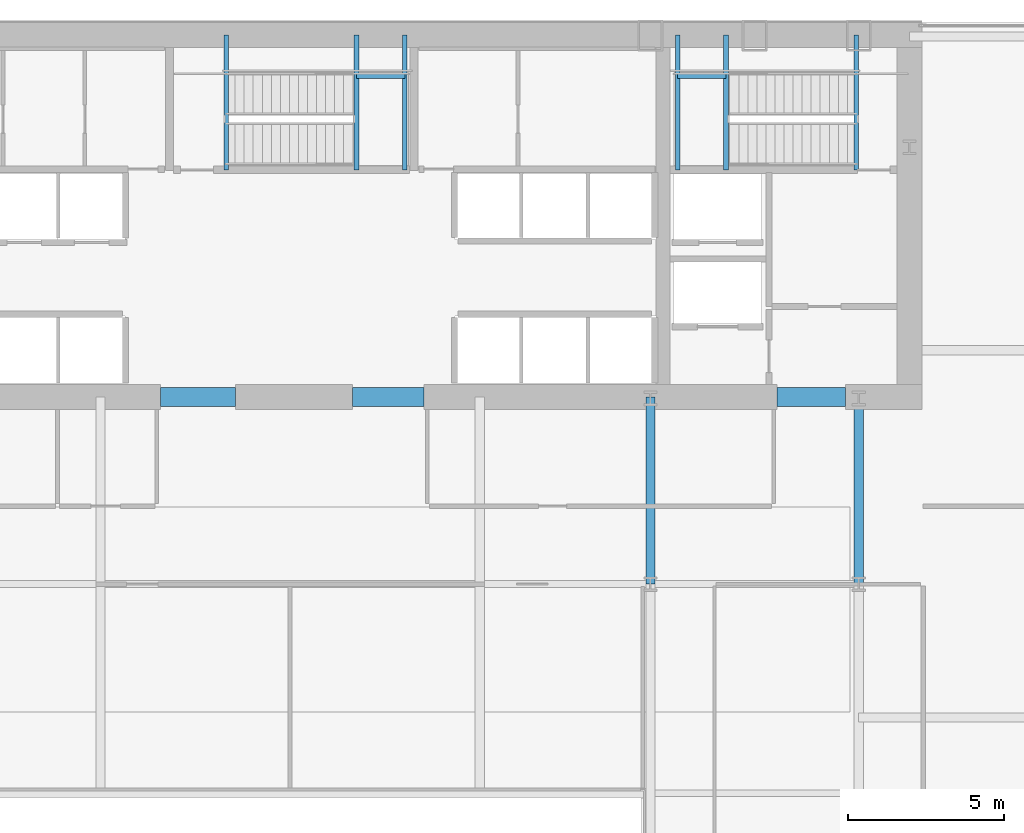
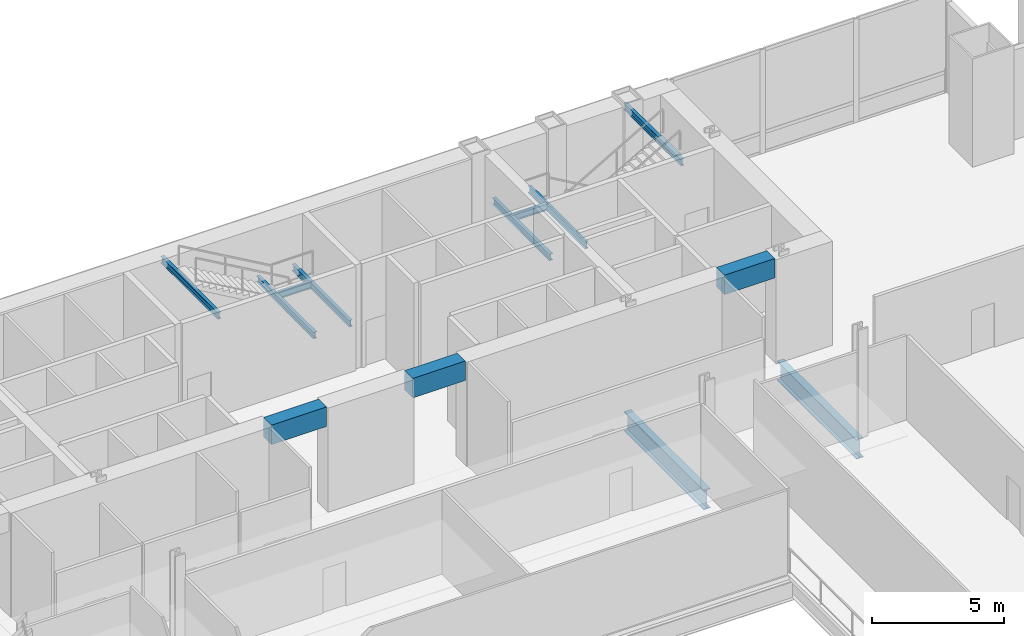
# One storey, part 12 of 25: 13 beams.
"""IFC4 building model written with IfcOpenShell, lengths in metres."""

from ifc_helpers import new_model, si_unit, direction, frame, origin, origin_2d, place, context, subcontext, project, spatial, rectangle, i_section, extrude, material, material_profile, profile_set, type_object, element, save


model = new_model("IFC4")

# Units and contexts
model_context = context("Model", 3, precision=1e-05, world=origin(), true_north=direction((0.0, 1.0)))
body_context = subcontext(model_context, "Body", "Model", "MODEL_VIEW")
ifc_project = project(units=[si_unit("LENGTHUNIT", "METRE"), si_unit("AREAUNIT", "SQUARE_METRE"), si_unit("VOLUMEUNIT", "CUBIC_METRE"), si_unit("PLANEANGLEUNIT", "RADIAN"), si_unit("MASSUNIT", "GRAM", prefix="KILO")], contexts=[model_context])

# Site, building, storey
site_placement = place(None, origin())
site = spatial("IfcSite", under=ifc_project, at=site_placement, CompositionType="ELEMENT")
building_placement = place(site_placement, origin())
building = spatial("IfcBuilding", under=site, at=building_placement, Name="Khoronbel Lancet Exchange", CompositionType="ELEMENT")
storey_placement = place(building_placement, frame((0.0, 0.0, 10.39990234375)))
storey = spatial("IfcBuildingStorey", under=building, at=storey_placement, Name="L02", CompositionType="ELEMENT", Elevation=10.39990234375)

# Beams
ifc_material_1 = material(Name="Steel S355", Category="steel")
ifc_material_profile_1 = material_profile(ifc_material_1, i_section(OverallWidth=0.300048828125, OverallDepth=0.89990234375, WebThickness=0.0185546875, FlangeThickness=0.034912109375, at=origin_2d()), Name="HEB 900")
ifc_profile_set_1 = profile_set([ifc_material_profile_1], Name="Steel S355")
beam_type_1 = type_object("IfcBeamType", Name="BM-BG1", PredefinedType="BEAM", material=ifc_profile_set_1)
for number, where, z_axis, x_axis, name in (
    (1, (48.0, 35.699951171875, -0.64990234375), (0.0, 1.0, 0.0), (-1.0, 0.0, 0.0), "Level L02 spine tie girder GN5"),
    (2, (54.675048828125, 35.699951171875, -0.64990234375), (0.0, 1.0, 0.0), (-1.0, 0.0, 0.0), "Level L02 spine tie girder GN6"),
):
    element("IfcBeam", number, at=place(storey_placement, frame(where, z_axis=z_axis, x_axis=x_axis)), inside=storey, type_object=beam_type_1, Name=name, PredefinedType="BEAM", context=body_context, shape_type="SweptSolid", body=[
        extrude(i_section(OverallWidth=0.300048828125, OverallDepth=0.89990234375, WebThickness=0.0185546875, FlangeThickness=0.034912109375, at=origin_2d()), origin(), (0.0, 0.0, 1.0), 6.0),
    ])
ifc_material_profile_2 = material_profile(ifc_material_1, i_section(OverallWidth=0.14990234375, OverallDepth=0.300048828125, WebThickness=0.007080078125, FlangeThickness=0.0107421875, at=origin_2d()), Name="IPE 300")
ifc_profile_set_2 = profile_set([ifc_material_profile_2], Name="Steel S355")
beam_type_2 = type_object("IfcBeamType", Name="BM-BJ8", PredefinedType="JOIST", material=ifc_profile_set_2)
for number, where, z_axis, x_axis, name in (
    (3, (50.419921875, 48.97998046875, 2.150146484375), (0.0, 1.0, 0.0), (-1.0, 0.0, 0.0), "Level L02 stair ST2 landing bearer beam 1"),
    (4, (48.8701171875, 48.97998046875, 2.150146484375), (0.0, 1.0, 0.0), (-1.0, 0.0, 0.0), "Level L02 stair ST2 rear landing bearer beam 1"),
):
    element("IfcBeam", number, at=place(storey_placement, frame(where, z_axis=z_axis, x_axis=x_axis)), inside=storey, type_object=beam_type_2, Name=name, PredefinedType="JOIST", context=body_context, shape_type="SweptSolid", body=[
        extrude(i_section(OverallWidth=0.14990234375, OverallDepth=0.300048828125, WebThickness=0.007080078125, FlangeThickness=0.0107421875, at=origin_2d()), origin(), (0.0, 0.0, 1.0), 4.320068359375),
    ])
beam_1_placement = place(storey_placement, frame((48.8701171875, 51.97998046875, 2.150146484375), z_axis=(1.0, 0.0, 0.0), x_axis=(0.0, 1.0, 0.0)))
element("IfcBeam", 5, at=beam_1_placement, inside=storey, type_object=beam_type_2, Name="Level L02 stair ST2 landing cross trimmer beam 1", PredefinedType="JOIST", context=body_context, shape_type="SweptSolid", body=[
    extrude(i_section(OverallWidth=0.14990234375, OverallDepth=0.300048828125, WebThickness=0.007080078125, FlangeThickness=0.0107421875, at=origin_2d()), origin(), (0.0, 0.0, 1.0), 1.5498046875),
])
for number, where, z_axis, x_axis, name in (
    (6, (54.60009765625, 48.97998046875, 4.52001953125), (0.0, 1.0, 0.0), (-1.0, 0.0, 0.0), "Level L02 stair ST2 upper-flight arrival trimmer beam"),
    (7, (38.580078125, 48.97998046875, 2.150146484375), (0.0, 1.0, 0.0), (-1.0, 0.0, 0.0), "Level L02 stair ST3 landing bearer beam 1"),
    (8, (40.1298828125, 48.97998046875, 2.150146484375), (0.0, 1.0, 0.0), (-1.0, 0.0, 0.0), "Level L02 stair ST3 rear landing bearer beam 1"),
):
    element("IfcBeam", number, at=place(storey_placement, frame(where, z_axis=z_axis, x_axis=x_axis)), inside=storey, type_object=beam_type_2, Name=name, PredefinedType="JOIST", context=body_context, shape_type="SweptSolid", body=[
        extrude(i_section(OverallWidth=0.14990234375, OverallDepth=0.300048828125, WebThickness=0.007080078125, FlangeThickness=0.0107421875, at=origin_2d()), origin(), (0.0, 0.0, 1.0), 4.320068359375),
    ])
beam_2_placement = place(storey_placement, frame((38.580078125, 51.97998046875, 2.150146484375), z_axis=(1.0, 0.0, 0.0), x_axis=(0.0, 1.0, 0.0)))
element("IfcBeam", 9, at=beam_2_placement, inside=storey, type_object=beam_type_2, Name="Level L02 stair ST3 landing cross trimmer beam 1", PredefinedType="JOIST", context=body_context, shape_type="SweptSolid", body=[
    extrude(i_section(OverallWidth=0.14990234375, OverallDepth=0.300048828125, WebThickness=0.007080078125, FlangeThickness=0.0107421875, at=origin_2d()), origin(), (0.0, 0.0, 1.0), 1.5498046875),
])
beam_3_placement = place(storey_placement, frame((34.39990234375, 48.97998046875, 4.52001953125), z_axis=(0.0, 1.0, 0.0), x_axis=(-1.0, 0.0, 0.0)))
element("IfcBeam", 10, at=beam_3_placement, inside=storey, type_object=beam_type_2, Name="Level L02 stair ST3 upper-flight arrival trimmer beam", PredefinedType="JOIST", context=body_context, shape_type="SweptSolid", body=[
    extrude(i_section(OverallWidth=0.14990234375, OverallDepth=0.300048828125, WebThickness=0.007080078125, FlangeThickness=0.0107421875, at=origin_2d()), origin(), (0.0, 0.0, 1.0), 4.320068359375),
])
ifc_material_2 = material(Name="Concrete C80/95", Category="concrete")
ifc_material_profile_3 = material_profile(ifc_material_2, rectangle(XDim=0.60009765625, YDim=0.89990234375, at=origin_2d()), Name="RC 600x900")
ifc_profile_set_3 = profile_set([ifc_material_profile_3], Name="Concrete C80/95")
beam_type_3 = type_object("IfcBeamType", Name="BM-BL1", PredefinedType="LINTEL", material=ifc_profile_set_3)
beam_4_placement = place(storey_placement, frame((32.300048828125, 41.699951171875, 4.35009765625), z_axis=(1.0, 0.0, 0.0), x_axis=(0.0, 1.0, 0.0)))
element("IfcBeam", 11, at=beam_4_placement, inside=storey, type_object=beam_type_3, Name="Level L02 rear core coupling lintel L2", PredefinedType="LINTEL", context=body_context, shape_type="SweptSolid", body=[
    extrude(rectangle(XDim=0.60009765625, YDim=0.89990234375, at=origin_2d()), origin(), (0.0, 0.0, 1.0), 2.39990234375),
])
beam_5_placement = place(storey_placement, frame((38.449951171875, 41.699951171875, 4.35009765625), z_axis=(1.0, 0.0, 0.0), x_axis=(0.0, 1.0, 0.0)))
element("IfcBeam", 12, at=beam_5_placement, inside=storey, type_object=beam_type_3, Name="Level L02 rear core coupling lintel L3", PredefinedType="LINTEL", context=body_context, shape_type="SweptSolid", body=[
    extrude(rectangle(XDim=0.60009765625, YDim=0.89990234375, at=origin_2d()), origin(), (0.0, 0.0, 1.0), 2.300048828125),
])
beam_6_placement = place(storey_placement, frame((52.050048828125, 41.699951171875, 4.35009765625), z_axis=(1.0, 0.0, 0.0), x_axis=(0.0, 1.0, 0.0)))
element("IfcBeam", 13, at=beam_6_placement, inside=storey, type_object=beam_type_3, Name="Level L02 rear core coupling lintel L4", PredefinedType="LINTEL", context=body_context, shape_type="SweptSolid", body=[
    extrude(rectangle(XDim=0.60009765625, YDim=0.89990234375, at=origin_2d()), origin(), (0.0, 0.0, 1.0), 2.199951171875),
])

save(model, "model.ifc")
